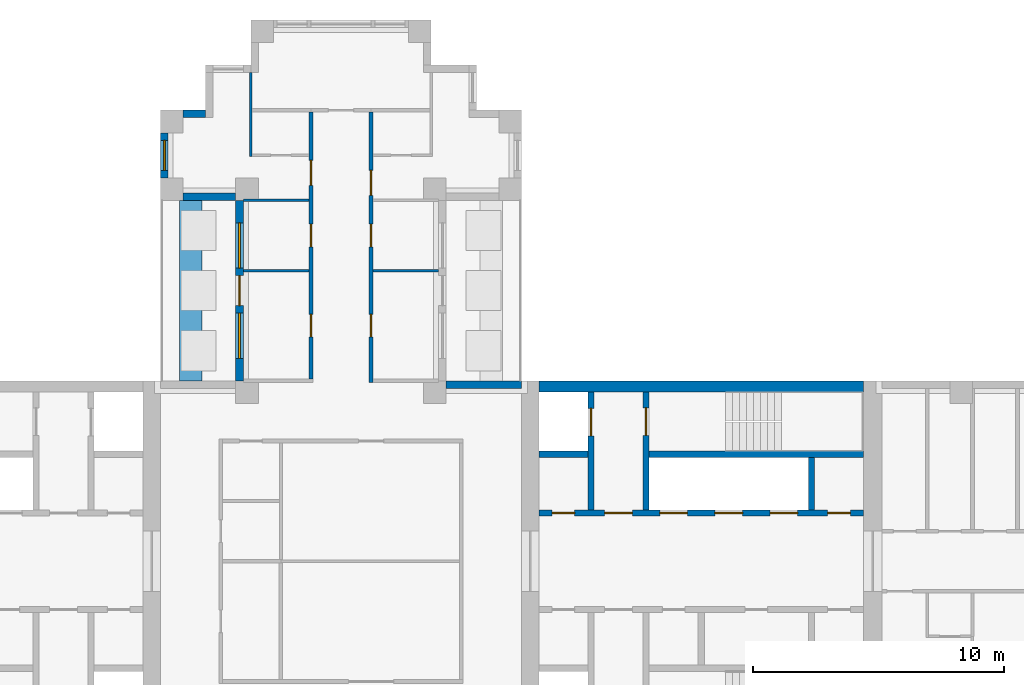
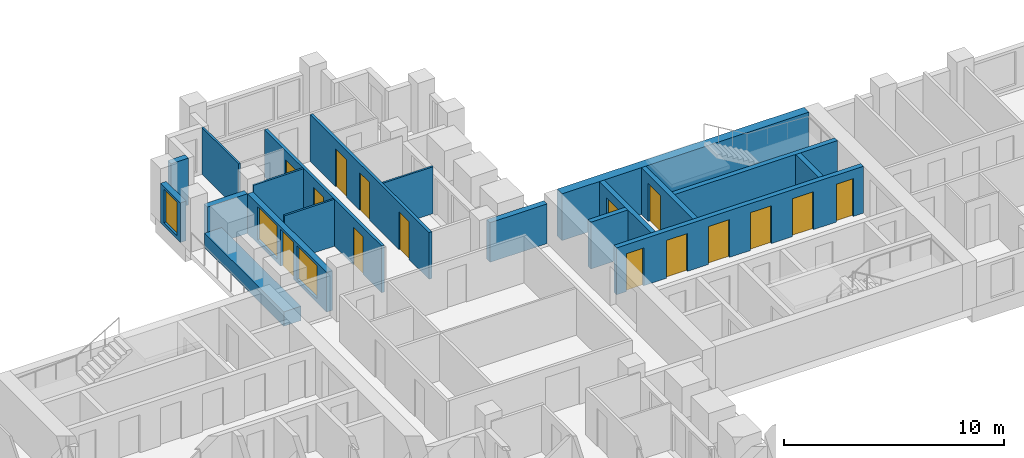
# One storey, part 7 of 12: 19 walls, 15 doors, 3 windows, 18 openings.
"""IFC4 building model written with IfcOpenShell, lengths in metres."""

from ifc_helpers import new_model, si_unit, direction, frame, frame_2d, origin, place, context, subcontext, project, spatial, rectangle, extrude, material, layer, layer_set, type_object, element, fill, save


model = new_model("IFC4")

# Units and contexts
model_context = context("Model", 3, precision=1e-05, world=origin(), true_north=direction((0.0, 1.0)))
body_context = subcontext(model_context, "Body", "Model", "MODEL_VIEW")
ifc_project = project(units=[si_unit("LENGTHUNIT", "METRE"), si_unit("AREAUNIT", "SQUARE_METRE"), si_unit("VOLUMEUNIT", "CUBIC_METRE"), si_unit("PLANEANGLEUNIT", "RADIAN"), si_unit("MASSUNIT", "GRAM", prefix="KILO")], contexts=[model_context])

# Site, building, storey
site_placement = place(None, origin())
site = spatial("IfcSite", under=ifc_project, at=site_placement, CompositionType="ELEMENT")
building_placement = place(site_placement, origin())
building = spatial("IfcBuilding", under=site, at=building_placement, Name="Fustian Cross Tower", CompositionType="ELEMENT")
storey_placement = place(building_placement, frame((0.0, 0.0, 150.300048828125)))
storey = spatial("IfcBuildingStorey", under=building, at=storey_placement, Name="L47", CompositionType="ELEMENT", Elevation=150.300048828125)

# Wall, openings, doors
ifc_material_1 = material(Name="Plasterboard on steel stud", Category="steel")
ifc_layer_1 = layer(ifc_material_1, 0.14990234375)
ifc_layer_set_1 = layer_set([ifc_layer_1], Name="Plasterboard on steel stud")
wall_type_1 = type_object("IfcWallType", Name="COMPARTMENT WALL 150 EI 60", PredefinedType="PARTITIONING", material=ifc_layer_set_1)
wall_1_placement = place(storey_placement, frame((-1.199951171875, 7.27490234375, 0.0), z_axis=(0.0, 0.0, 1.0), x_axis=(0.0, 1.0, 0.0)))
wall_1 = element("IfcWall", 1, at=wall_1_placement, inside=storey, type_object=wall_type_1, Name="Partition 38", PredefinedType="PARTITIONING", context=body_context, shape_type="SweptSolid", body=[
    extrude(rectangle(XDim=10.650146484375, YDim=0.14990234375, at=frame_2d((5.3251953125, 0.0))), origin(), (0.0, 0.0, 1.0), 2.599853515625),
])
opening_1_placement = place(wall_1_placement, frame((5.27490234375, 0.0, 0.0)))
opening_1 = element("IfcOpeningElement", 2, at=opening_1_placement, cuts=wall_1, Name="Opening D21018", PredefinedType="OPENING", context=body_context, shape_type="SweptSolid", body=[
    extrude(rectangle(XDim=0.89990234375, YDim=2.10009765625, at=frame_2d((0.449951171875, 1.050048828125))), frame((0.0, 0.0849609375, 0.0), z_axis=(0.0, -1.0, 0.0), x_axis=(1.0, 0.0, 0.0)), (0.0, 0.0, 1.0), 0.169921875),
])
opening_2_placement = place(wall_1_placement, frame((1.675048828125, 0.0, 0.0)))
opening_2 = element("IfcOpeningElement", 3, at=opening_2_placement, cuts=wall_1, Name="Opening D21019", PredefinedType="OPENING", context=body_context, shape_type="SweptSolid", body=[
    extrude(rectangle(XDim=0.89990234375, YDim=2.10009765625, at=frame_2d((0.449951171875, 1.050048828125))), frame((0.0, 0.0849609375, 0.0), z_axis=(0.0, -1.0, 0.0), x_axis=(1.0, 0.0, 0.0)), (0.0, 0.0, 1.0), 0.169921875),
])
opening_3_placement = place(wall_1_placement, frame((7.72509765625, 0.0, 0.0)))
opening_3 = element("IfcOpeningElement", 4, at=opening_3_placement, cuts=wall_1, Name="Opening D21021", PredefinedType="OPENING", context=body_context, shape_type="SweptSolid", body=[
    extrude(rectangle(XDim=1.0, YDim=2.10009765625, at=frame_2d((0.5, 1.050048828125))), frame((0.0, 0.0849609375, 0.0), z_axis=(0.0, -1.0, 0.0), x_axis=(1.0, 0.0, 0.0)), (0.0, 0.0, 1.0), 0.169921875),
])
ifc_material_2 = material(Name="Timber fire door set", Category="wood")
door_type_1 = type_object("IfcDoorType", Name="FIRE SWING DOOR 1000 FD30S", OperationType="SINGLE_SWING_LEFT", PredefinedType="DOOR", material=ifc_material_2)
door_1_placement = place(opening_3_placement, origin())
door_1 = element("IfcDoor", 5, at=door_1_placement, inside=storey, type_object=door_type_1, Name="Door D21021", OperationType="SINGLE_SWING_RIGHT", OverallHeight=2.10009765625, OverallWidth=1.0, PredefinedType="DOOR", context=body_context, shape_type="SweptSolid", body=[
    extrude(rectangle(XDim=1.0, YDim=2.10009765625, at=frame_2d((0.5, 1.050048828125))), frame((0.0, 0.02490234375, 0.0), z_axis=(0.0, -1.0, 0.0), x_axis=(1.0, 0.0, 0.0)), (0.0, 0.0, 1.0), 0.050048828125),
])
fill(opening_3, door_1)
ifc_material_3 = material(Name="Timber fire door set", Category="wood")
door_type_2 = type_object("IfcDoorType", Name="FIRE SWING DOOR 900 FD30S", OperationType="SINGLE_SWING_LEFT", PredefinedType="DOOR", material=ifc_material_3)
door_2_placement = place(opening_1_placement, origin())
door_2 = element("IfcDoor", 6, at=door_2_placement, inside=storey, type_object=door_type_2, Name="Door D21018", OperationType="SINGLE_SWING_LEFT", OverallHeight=2.10009765625, OverallWidth=0.89990234375, PredefinedType="DOOR", context=body_context, shape_type="SweptSolid", body=[
    extrude(rectangle(XDim=0.89990234375, YDim=2.10009765625, at=frame_2d((0.449951171875, 1.050048828125))), frame((0.0, 0.02490234375, 0.0), z_axis=(0.0, -1.0, 0.0), x_axis=(1.0, 0.0, 0.0)), (0.0, 0.0, 1.0), 0.050048828125),
])
fill(opening_1, door_2)
door_3_placement = place(opening_2_placement, origin())
door_3 = element("IfcDoor", 7, at=door_3_placement, inside=storey, type_object=door_type_2, Name="Door D21019", OperationType="SINGLE_SWING_LEFT", OverallHeight=2.10009765625, OverallWidth=0.89990234375, PredefinedType="DOOR", context=body_context, shape_type="SweptSolid", body=[
    extrude(rectangle(XDim=0.89990234375, YDim=2.10009765625, at=frame_2d((0.449951171875, 1.050048828125))), frame((0.0, 0.02490234375, 0.0), z_axis=(0.0, -1.0, 0.0), x_axis=(1.0, 0.0, 0.0)), (0.0, 0.0, 1.0), 0.050048828125),
])
fill(opening_2, door_3)

wall_2_placement = place(storey_placement, frame((1.199951171875, 7.125, 0.0), z_axis=(0.0, 0.0, 1.0), x_axis=(0.0, 1.0, 0.0)))
wall_2 = element("IfcWall", 8, at=wall_2_placement, inside=storey, type_object=wall_type_1, Name="Partition 46", PredefinedType="PARTITIONING", context=body_context, shape_type="SweptSolid", body=[
    extrude(rectangle(XDim=10.800048828125, YDim=0.14990234375, at=frame_2d((5.39990234375, 0.0))), origin(), (0.0, 0.0, 1.0), 2.599853515625),
])
opening_4_placement = place(wall_2_placement, frame((5.425048828125, 0.0, 0.0)))
opening_4 = element("IfcOpeningElement", 9, at=opening_4_placement, cuts=wall_2, Name="Opening D21022", PredefinedType="OPENING", context=body_context, shape_type="SweptSolid", body=[
    extrude(rectangle(XDim=0.89990234375, YDim=2.10009765625, at=frame_2d((0.449951171875, 1.050048828125))), frame((0.0, 0.0849609375, 0.0), z_axis=(0.0, -1.0, 0.0), x_axis=(1.0, 0.0, 0.0)), (0.0, 0.0, 1.0), 0.169921875),
])
opening_5_placement = place(wall_2_placement, frame((1.824951171875, 0.0, 0.0)))
opening_5 = element("IfcOpeningElement", 10, at=opening_5_placement, cuts=wall_2, Name="Opening D21023", PredefinedType="OPENING", context=body_context, shape_type="SweptSolid", body=[
    extrude(rectangle(XDim=0.89990234375, YDim=2.10009765625, at=frame_2d((0.449951171875, 1.050048828125))), frame((0.0, 0.0849609375, 0.0), z_axis=(0.0, -1.0, 0.0), x_axis=(1.0, 0.0, 0.0)), (0.0, 0.0, 1.0), 0.169921875),
])
opening_6_placement = place(wall_2_placement, frame((7.47509765625, 0.0, 0.0)))
opening_6 = element("IfcOpeningElement", 11, at=opening_6_placement, cuts=wall_2, Name="Opening D21025", PredefinedType="OPENING", context=body_context, shape_type="SweptSolid", body=[
    extrude(rectangle(XDim=1.0, YDim=2.10009765625, at=frame_2d((0.5, 1.050048828125))), frame((0.0, 0.0849609375, 0.0), z_axis=(0.0, -1.0, 0.0), x_axis=(1.0, 0.0, 0.0)), (0.0, 0.0, 1.0), 0.169921875),
])
door_4_placement = place(opening_6_placement, frame((1.0, 0.0, 0.0), z_axis=(0.0, 0.0, 1.0), x_axis=(-1.0, 0.0, 0.0)))
door_4 = element("IfcDoor", 12, at=door_4_placement, inside=storey, type_object=door_type_1, Name="Door D21025", OperationType="SINGLE_SWING_RIGHT", OverallHeight=2.10009765625, OverallWidth=1.0, PredefinedType="DOOR", context=body_context, shape_type="SweptSolid", body=[
    extrude(rectangle(XDim=1.0, YDim=2.10009765625, at=frame_2d((0.5, 1.050048828125))), frame((0.0, 0.02490234375, 0.0), z_axis=(0.0, -1.0, 0.0), x_axis=(1.0, 0.0, 0.0)), (0.0, 0.0, 1.0), 0.050048828125),
])
fill(opening_6, door_4)
door_5_placement = place(opening_4_placement, frame((0.89990234375, 0.0, 0.0), z_axis=(0.0, 0.0, 1.0), x_axis=(-1.0, 0.0, 0.0)))
door_5 = element("IfcDoor", 13, at=door_5_placement, inside=storey, type_object=door_type_2, Name="Door D21022", OperationType="SINGLE_SWING_RIGHT", OverallHeight=2.10009765625, OverallWidth=0.89990234375, PredefinedType="DOOR", context=body_context, shape_type="SweptSolid", body=[
    extrude(rectangle(XDim=0.89990234375, YDim=2.10009765625, at=frame_2d((0.449951171875, 1.050048828125))), frame((0.0, 0.02490234375, 0.0), z_axis=(0.0, -1.0, 0.0), x_axis=(1.0, 0.0, 0.0)), (0.0, 0.0, 1.0), 0.050048828125),
])
fill(opening_4, door_5)
door_6_placement = place(opening_5_placement, frame((0.89990234375, 0.0, 0.0), z_axis=(0.0, 0.0, 1.0), x_axis=(-1.0, 0.0, 0.0)))
door_6 = element("IfcDoor", 14, at=door_6_placement, inside=storey, type_object=door_type_2, Name="Door D21023", OperationType="SINGLE_SWING_RIGHT", OverallHeight=2.10009765625, OverallWidth=0.89990234375, PredefinedType="DOOR", context=body_context, shape_type="SweptSolid", body=[
    extrude(rectangle(XDim=0.89990234375, YDim=2.10009765625, at=frame_2d((0.449951171875, 1.050048828125))), frame((0.0, 0.02490234375, 0.0), z_axis=(0.0, -1.0, 0.0), x_axis=(1.0, 0.0, 0.0)), (0.0, 0.0, 1.0), 0.050048828125),
])
fill(opening_5, door_6)

# Wall
ifc_material_4 = material(Name="Concrete C60/75", Category="concrete")
ifc_layer_2 = layer(ifc_material_4, 0.449951171875)
ifc_layer_set_2 = layer_set([ifc_layer_2], Name="Concrete C60/75")
wall_type_2 = type_object("IfcWallType", Name="CORE FACADE WALL 450 C60/75", PredefinedType="SHEAR", material=ifc_layer_set_2)
wall_3_placement = place(storey_placement, frame((7.89990234375, 6.97509765625, 0.0), z_axis=(0.0, 0.0, 1.0), x_axis=(1.0, 0.0, 0.0)))
element("IfcWall", 15, at=wall_3_placement, inside=storey, type_object=wall_type_2, Name="Core facade wall", PredefinedType="SHEAR", context=body_context, shape_type="SweptSolid", body=[
    extrude(rectangle(XDim=12.9501953125, YDim=0.449951171875, at=frame_2d((6.47509765625, 0.0))), origin(), (0.0, 0.0, 1.0), 2.599853515625),
])

# Wall, openings, doors
ifc_material_5 = material(Name="Concrete C50/60", Category="concrete")
ifc_layer_3 = layer(ifc_material_5, 0.25)
ifc_layer_set_3 = layer_set([ifc_layer_3], Name="Concrete C50/60")
wall_type_3 = type_object("IfcWallType", Name="CORE LOBBY WALL 250 C50/60", PredefinedType="SHEAR", material=ifc_layer_set_3)
wall_4_placement = place(storey_placement, frame((7.89990234375, 1.925048828125, 0.0), z_axis=(0.0, 0.0, 1.0), x_axis=(1.0, 0.0, 0.0)))
wall_4 = element("IfcWall", 16, at=wall_4_placement, inside=storey, type_object=wall_type_3, Name="Core lobby wall", PredefinedType="SHEAR", context=body_context, shape_type="SweptSolid", body=[
    extrude(rectangle(XDim=12.9501953125, YDim=0.25, at=frame_2d((6.47509765625, 0.0))), origin(), (0.0, 0.0, 1.0), 2.599853515625),
])
opening_7_placement = place(wall_4_placement, frame((4.824951171875, 0.0, 0.0)))
opening_7 = element("IfcOpeningElement", 17, at=opening_7_placement, cuts=wall_4, Name="Opening LD", PredefinedType="OPENING", context=body_context, shape_type="SweptSolid", body=[
    extrude(rectangle(XDim=1.10009765625, YDim=2.10009765625, at=frame_2d((0.550048828125, 1.050048828125))), frame((0.0, 0.135009765625, 0.0), z_axis=(0.0, -1.0, 0.0), x_axis=(1.0, 0.0, 0.0)), (0.0, 0.0, 1.0), 0.27001953125),
])
opening_8_placement = place(wall_4_placement, frame((7.02490234375, 0.0, 0.0)))
opening_8 = element("IfcOpeningElement", 18, at=opening_8_placement, cuts=wall_4, Name="Opening LD", PredefinedType="OPENING", context=body_context, shape_type="SweptSolid", body=[
    extrude(rectangle(XDim=1.10009765625, YDim=2.10009765625, at=frame_2d((0.550048828125, 1.050048828125))), frame((0.0, 0.135009765625, 0.0), z_axis=(0.0, -1.0, 0.0), x_axis=(1.0, 0.0, 0.0)), (0.0, 0.0, 1.0), 0.27001953125),
])
opening_9_placement = place(wall_4_placement, frame((9.22509765625, 0.0, 0.0)))
opening_9 = element("IfcOpeningElement", 19, at=opening_9_placement, cuts=wall_4, Name="Opening LD", PredefinedType="OPENING", context=body_context, shape_type="SweptSolid", body=[
    extrude(rectangle(XDim=1.10009765625, YDim=2.10009765625, at=frame_2d((0.550048828125, 1.050048828125))), frame((0.0, 0.135009765625, 0.0), z_axis=(0.0, -1.0, 0.0), x_axis=(1.0, 0.0, 0.0)), (0.0, 0.0, 1.0), 0.27001953125),
])
opening_10_placement = place(wall_4_placement, frame((0.52490234375, 0.0, 0.0)))
opening_10 = element("IfcOpeningElement", 20, at=opening_10_placement, cuts=wall_4, Name="Opening CD-16-08", PredefinedType="OPENING", context=body_context, shape_type="SweptSolid", body=[
    extrude(rectangle(XDim=0.89990234375, YDim=2.10009765625, at=frame_2d((0.449951171875, 1.050048828125))), frame((0.0, 0.135009765625, 0.0), z_axis=(0.0, -1.0, 0.0), x_axis=(1.0, 0.0, 0.0)), (0.0, 0.0, 1.0), 0.27001953125),
])
opening_11_placement = place(wall_4_placement, frame((2.625, 0.0, 0.0)))
opening_11 = element("IfcOpeningElement", 21, at=opening_11_placement, cuts=wall_4, Name="Opening CD-16-10", PredefinedType="OPENING", context=body_context, shape_type="SweptSolid", body=[
    extrude(rectangle(XDim=1.10009765625, YDim=2.10009765625, at=frame_2d((0.550048828125, 1.050048828125))), frame((0.0, 0.135009765625, 0.0), z_axis=(0.0, -1.0, 0.0), x_axis=(1.0, 0.0, 0.0)), (0.0, 0.0, 1.0), 0.27001953125),
])
opening_12_placement = place(wall_4_placement, frame((11.52490234375, 0.0, 0.0)))
opening_12 = element("IfcOpeningElement", 22, at=opening_12_placement, cuts=wall_4, Name="Opening CD-16-14", PredefinedType="OPENING", context=body_context, shape_type="SweptSolid", body=[
    extrude(rectangle(XDim=0.89990234375, YDim=2.10009765625, at=frame_2d((0.449951171875, 1.050048828125))), frame((0.0, 0.135009765625, 0.0), z_axis=(0.0, -1.0, 0.0), x_axis=(1.0, 0.0, 0.0)), (0.0, 0.0, 1.0), 0.27001953125),
])
ifc_material_6 = material(Name="Steel", Category="steel")
door_type_3 = type_object("IfcDoorType", Name="FIRE DOOR FD30S 900X2100", OperationType="SINGLE_SWING_LEFT", PredefinedType="DOOR", material=ifc_material_6)
door_7_placement = place(opening_12_placement, origin())
door_7 = element("IfcDoor", 23, at=door_7_placement, inside=storey, type_object=door_type_3, Name="Core door CD-16-14", OperationType="SINGLE_SWING_LEFT", OverallHeight=2.10009765625, OverallWidth=0.89990234375, PredefinedType="DOOR", context=body_context, shape_type="SweptSolid", body=[
    extrude(rectangle(XDim=0.89990234375, YDim=2.10009765625, at=frame_2d((0.449951171875, 1.050048828125))), frame((0.0, 0.02490234375, 0.0), z_axis=(0.0, -1.0, 0.0), x_axis=(1.0, 0.0, 0.0)), (0.0, 0.0, 1.0), 0.050048828125),
])
fill(opening_12, door_7)
ifc_material_7 = material(Name="Steel", Category="steel")
door_type_4 = type_object("IfcDoorType", Name="FIRE DOOR FD60S 1100X2100", OperationType="SINGLE_SWING_LEFT", PredefinedType="DOOR", material=ifc_material_7)
door_8_placement = place(opening_11_placement, frame((1.10009765625, 0.0, 0.0), z_axis=(0.0, 0.0, 1.0), x_axis=(-1.0, 0.0, 0.0)))
door_8 = element("IfcDoor", 24, at=door_8_placement, inside=storey, type_object=door_type_4, Name="Core door CD-16-10", OperationType="SINGLE_SWING_RIGHT", OverallHeight=2.10009765625, OverallWidth=1.10009765625, PredefinedType="DOOR", context=body_context, shape_type="SweptSolid", body=[
    extrude(rectangle(XDim=1.10009765625, YDim=2.10009765625, at=frame_2d((0.550048828125, 1.050048828125))), frame((0.0, 0.02490234375, 0.0), z_axis=(0.0, -1.0, 0.0), x_axis=(1.0, 0.0, 0.0)), (0.0, 0.0, 1.0), 0.050048828125),
])
fill(opening_11, door_8)
ifc_material_8 = material(Name="Steel", Category="steel")
door_type_5 = type_object("IfcDoorType", Name="FIRE DOOR FD60S 900X2100", OperationType="SINGLE_SWING_LEFT", PredefinedType="DOOR", material=ifc_material_8)
door_9_placement = place(opening_10_placement, origin())
door_9 = element("IfcDoor", 25, at=door_9_placement, inside=storey, type_object=door_type_5, Name="Core door CD-16-08", OperationType="SINGLE_SWING_LEFT", OverallHeight=2.10009765625, OverallWidth=0.89990234375, PredefinedType="DOOR", context=body_context, shape_type="SweptSolid", body=[
    extrude(rectangle(XDim=0.89990234375, YDim=2.10009765625, at=frame_2d((0.449951171875, 1.050048828125))), frame((0.0, 0.02490234375, 0.0), z_axis=(0.0, -1.0, 0.0), x_axis=(1.0, 0.0, 0.0)), (0.0, 0.0, 1.0), 0.050048828125),
])
fill(opening_10, door_9)
ifc_material_9 = material(Name="Stainless steel", Category="steel")
door_type_6 = type_object("IfcDoorType", Name="LIFT LANDING DOOR 1100X2100", OperationType="SLIDING_TO_LEFT", PredefinedType="DOOR", material=ifc_material_9)
door_10_placement = place(opening_7_placement, origin())
door_10 = element("IfcDoor", 26, at=door_10_placement, inside=storey, type_object=door_type_6, Name="Landing door HR1", OperationType="SLIDING_TO_LEFT", OverallHeight=2.10009765625, OverallWidth=1.10009765625, PredefinedType="DOOR", context=body_context, shape_type="SweptSolid", body=[
    extrude(rectangle(XDim=1.10009765625, YDim=2.10009765625, at=frame_2d((0.550048828125, 1.050048828125))), frame((0.0, 0.02490234375, 0.0), z_axis=(0.0, -1.0, 0.0), x_axis=(1.0, 0.0, 0.0)), (0.0, 0.0, 1.0), 0.050048828125),
])
fill(opening_7, door_10)
door_11_placement = place(opening_8_placement, origin())
door_11 = element("IfcDoor", 27, at=door_11_placement, inside=storey, type_object=door_type_6, Name="Landing door HR2", OperationType="SLIDING_TO_LEFT", OverallHeight=2.10009765625, OverallWidth=1.10009765625, PredefinedType="DOOR", context=body_context, shape_type="SweptSolid", body=[
    extrude(rectangle(XDim=1.10009765625, YDim=2.10009765625, at=frame_2d((0.550048828125, 1.050048828125))), frame((0.0, 0.02490234375, 0.0), z_axis=(0.0, -1.0, 0.0), x_axis=(1.0, 0.0, 0.0)), (0.0, 0.0, 1.0), 0.050048828125),
])
fill(opening_8, door_11)
door_12_placement = place(opening_9_placement, origin())
door_12 = element("IfcDoor", 28, at=door_12_placement, inside=storey, type_object=door_type_6, Name="Landing door HR3", OperationType="SLIDING_TO_LEFT", OverallHeight=2.10009765625, OverallWidth=1.10009765625, PredefinedType="DOOR", context=body_context, shape_type="SweptSolid", body=[
    extrude(rectangle(XDim=1.10009765625, YDim=2.10009765625, at=frame_2d((0.550048828125, 1.050048828125))), frame((0.0, 0.02490234375, 0.0), z_axis=(0.0, -1.0, 0.0), x_axis=(1.0, 0.0, 0.0)), (0.0, 0.0, 1.0), 0.050048828125),
])
fill(opening_9, door_12)

# Walls
ifc_material_10 = material(Name="Concrete C50/60", Category="concrete")
ifc_layer_4 = layer(ifc_material_10, 0.25)
ifc_layer_set_4 = layer_set([ifc_layer_4], Name="Concrete C50/60")
wall_type_4 = type_object("IfcWallType", Name="CORE SHAFT WALL 250 C50/60", PredefinedType="SHEAR", material=ifc_layer_set_4)
wall_5_placement = place(storey_placement, frame((7.89990234375, 4.27490234375, 0.0), z_axis=(0.0, 0.0, 1.0), x_axis=(1.0, 0.0, 0.0)))
element("IfcWall", 29, at=wall_5_placement, inside=storey, type_object=wall_type_4, Name="Core shaft wall", PredefinedType="SHEAR", context=body_context, shape_type="SweptSolid", body=[
    extrude(rectangle(XDim=1.9501953125, YDim=0.25, at=frame_2d((0.97509765625, 0.0))), origin(), (0.0, 0.0, 1.0), 2.599853515625),
])
wall_6_placement = place(storey_placement, frame((12.300048828125, 4.27490234375, 0.0), z_axis=(0.0, 0.0, 1.0), x_axis=(1.0, 0.0, 0.0)))
element("IfcWall", 30, at=wall_6_placement, inside=storey, type_object=wall_type_4, Name="Core shaft wall", PredefinedType="SHEAR", context=body_context, shape_type="SweptSolid", body=[
    extrude(rectangle(XDim=8.550048828125, YDim=0.25, at=frame_2d((4.27490234375, 0.0))), origin(), (0.0, 0.0, 1.0), 2.599853515625),
])

# Wall, opening, door
wall_7_placement = place(storey_placement, frame((9.97509765625, 2.050048828125, 0.0), z_axis=(0.0, 0.0, 1.0), x_axis=(0.0, 1.0, 0.0)))
wall_7 = element("IfcWall", 31, at=wall_7_placement, inside=storey, type_object=wall_type_4, Name="Core shaft wall", PredefinedType="SHEAR", context=body_context, shape_type="SweptSolid", body=[
    extrude(rectangle(XDim=4.699951171875, YDim=0.25, at=frame_2d((2.35009765625, 0.0))), origin(), (0.0, 0.0, 1.0), 2.599853515625),
])
opening_13_placement = place(wall_7_placement, frame((2.949951171875, 0.0, 0.0)))
opening_13 = element("IfcOpeningElement", 32, at=opening_13_placement, cuts=wall_7, Name="Opening LD", PredefinedType="OPENING", context=body_context, shape_type="SweptSolid", body=[
    extrude(rectangle(XDim=1.10009765625, YDim=2.10009765625, at=frame_2d((0.550048828125, 1.050048828125))), frame((0.0, 0.135009765625, 0.0), z_axis=(0.0, -1.0, 0.0), x_axis=(1.0, 0.0, 0.0)), (0.0, 0.0, 1.0), 0.27001953125),
])
door_13_placement = place(opening_13_placement, origin())
door_13 = element("IfcDoor", 33, at=door_13_placement, inside=storey, type_object=door_type_6, Name="Landing door FL1", OperationType="SLIDING_TO_LEFT", OverallHeight=2.10009765625, OverallWidth=1.10009765625, PredefinedType="DOOR", context=body_context, shape_type="SweptSolid", body=[
    extrude(rectangle(XDim=1.10009765625, YDim=2.10009765625, at=frame_2d((0.550048828125, 1.050048828125))), frame((0.0, 0.02490234375, 0.0), z_axis=(0.0, -1.0, 0.0), x_axis=(1.0, 0.0, 0.0)), (0.0, 0.0, 1.0), 0.050048828125),
])
fill(opening_13, door_13)

wall_8_placement = place(storey_placement, frame((12.175048828125, 2.050048828125, 0.0), z_axis=(0.0, 0.0, 1.0), x_axis=(0.0, 1.0, 0.0)))
wall_8 = element("IfcWall", 34, at=wall_8_placement, inside=storey, type_object=wall_type_4, Name="Core shaft wall", PredefinedType="SHEAR", context=body_context, shape_type="SweptSolid", body=[
    extrude(rectangle(XDim=4.699951171875, YDim=0.25, at=frame_2d((2.35009765625, 0.0))), origin(), (0.0, 0.0, 1.0), 2.599853515625),
])
opening_14_placement = place(wall_8_placement, frame((2.97509765625, 0.0, 0.0)))
opening_14 = element("IfcOpeningElement", 35, at=opening_14_placement, cuts=wall_8, Name="Opening CD-16-06", PredefinedType="OPENING", context=body_context, shape_type="SweptSolid", body=[
    extrude(rectangle(XDim=1.10009765625, YDim=2.10009765625, at=frame_2d((0.550048828125, 1.050048828125))), frame((0.0, 0.135009765625, 0.0), z_axis=(0.0, -1.0, 0.0), x_axis=(1.0, 0.0, 0.0)), (0.0, 0.0, 1.0), 0.27001953125),
])
door_14_placement = place(opening_14_placement, frame((1.10009765625, 0.0, 0.0), z_axis=(0.0, 0.0, 1.0), x_axis=(-1.0, 0.0, 0.0)))
door_14 = element("IfcDoor", 36, at=door_14_placement, inside=storey, type_object=door_type_4, Name="Core door CD-16-06", OperationType="SINGLE_SWING_RIGHT", OverallHeight=2.10009765625, OverallWidth=1.10009765625, PredefinedType="DOOR", context=body_context, shape_type="SweptSolid", body=[
    extrude(rectangle(XDim=1.10009765625, YDim=2.10009765625, at=frame_2d((0.550048828125, 1.050048828125))), frame((0.0, 0.02490234375, 0.0), z_axis=(0.0, -1.0, 0.0), x_axis=(1.0, 0.0, 0.0)), (0.0, 0.0, 1.0), 0.050048828125),
])
fill(opening_14, door_14)

# Walls
ifc_material_11 = material(Name="Plasterboard on steel stud", Category="steel")
ifc_layer_5 = layer(ifc_material_11, 0.10009765625)
ifc_layer_set_5 = layer_set([ifc_layer_5], Name="Plasterboard on steel stud")
wall_type_5 = type_object("IfcWallType", Name="PARTITION 100 STUD", PredefinedType="PARTITIONING", material=ifc_layer_set_5)
for number, where, z_axis, x_axis, name in (
    (37, (-3.89990234375, 11.60009765625, 0.0), (0.0, 0.0, 1.0), (1.0, 0.0, 0.0), "Partition 25"),
    (38, (-3.89990234375, 14.39990234375, 0.0), (0.0, 0.0, 1.0), (1.0, 0.0, 0.0), "Partition 26"),
):
    element("IfcWall", number, at=place(storey_placement, frame(where, z_axis=z_axis, x_axis=x_axis)), inside=storey, type_object=wall_type_5, Name=name, PredefinedType="PARTITIONING", context=body_context, shape_type="SweptSolid", body=[
        extrude(rectangle(XDim=2.625, YDim=0.10009765625, at=frame_2d((1.3125, 0.0))), origin(), (0.0, 0.0, 1.0), 2.599853515625),
    ])
wall_9_placement = place(storey_placement, frame((-3.60009765625, 16.14990234375, 0.0), z_axis=(0.0, 0.0, 1.0), x_axis=(0.0, 1.0, 0.0)))
element("IfcWall", 39, at=wall_9_placement, inside=storey, type_object=wall_type_5, Name="Partition 30", PredefinedType="PARTITIONING", context=body_context, shape_type="SweptSolid", body=[
    extrude(rectangle(XDim=3.35009765625, YDim=0.10009765625, at=frame_2d((1.675048828125, 0.0))), origin(), (0.0, 0.0, 1.0), 2.599853515625),
])
wall_10_placement = place(storey_placement, frame((1.27490234375, 11.60009765625, 0.0), z_axis=(0.0, 0.0, 1.0), x_axis=(1.0, 0.0, 0.0)))
element("IfcWall", 40, at=wall_10_placement, inside=storey, type_object=wall_type_5, Name="Partition 48", PredefinedType="PARTITIONING", context=body_context, shape_type="SweptSolid", body=[
    extrude(rectangle(XDim=2.625, YDim=0.10009765625, at=frame_2d((1.3125, 0.0))), origin(), (0.0, 0.0, 1.0), 2.599853515625),
])
ifc_material_12 = material(Name="Concrete C40/50", Category="concrete")
ifc_layer_6 = layer(ifc_material_12, 0.89990234375)
ifc_layer_set_6 = layer_set([ifc_layer_6], Name="Concrete C40/50")
wall_type_6 = type_object("IfcWallType", Name="PK1 PLANTER 900", PredefinedType="PARAPET", material=ifc_layer_set_6)
wall_11_placement = place(storey_placement, frame((-6.0, 7.199951171875, 0.0), z_axis=(0.0, 0.0, 1.0), x_axis=(0.0, 1.0, 0.0)))
element("IfcWall", 41, at=wall_11_placement, inside=storey, type_object=wall_type_6, Name="PLANTER", PredefinedType="PARAPET", context=body_context, shape_type="SweptSolid", body=[
    extrude(rectangle(XDim=7.199951171875, YDim=0.89990234375, at=frame_2d((3.60009765625, 0.0))), origin(), (0.0, 0.0, 1.0), 0.800048828125),
])
ifc_material_13 = material(Name="Concrete C40/50", Category="concrete")
ifc_layer_7 = layer(ifc_material_13, 0.25)
ifc_layer_set_7 = layer_set([ifc_layer_7], Name="Concrete C40/50")
wall_type_7 = type_object("IfcWallType", Name="SHAFT PARTITION WALL 250 C40/50", PredefinedType="PARTITIONING", material=ifc_layer_set_7)
wall_12_placement = place(storey_placement, frame((18.77490234375, 2.050048828125, 0.0), z_axis=(0.0, 0.0, 1.0), x_axis=(0.0, 1.0, 0.0)))
element("IfcWall", 42, at=wall_12_placement, inside=storey, type_object=wall_type_7, Name="Core shaft wall", PredefinedType="PARTITIONING", context=body_context, shape_type="SweptSolid", body=[
    extrude(rectangle(XDim=2.099853515625, YDim=0.25, at=frame_2d((1.0498046875, 0.0))), origin(), (0.0, 0.0, 1.0), 2.599853515625),
])
ifc_material_14 = material(Name="Dark aluminium cladding on insulated backing wall", Category="aluminium")
ifc_layer_8 = layer(ifc_material_14, 0.300048828125)
ifc_layer_set_8 = layer_set([ifc_layer_8], Name="Dark aluminium cladding on insulated backing wall")
wall_type_8 = type_object("IfcWallType", Name="XW1 EXTERNAL WALL 300", PredefinedType="SOLIDWALL", material=ifc_layer_set_8)
wall_13_placement = place(storey_placement, frame((7.199951171875, 7.050048828125, 0.0), z_axis=(0.0, 0.0, 1.0), x_axis=(-1.0, 0.0, 0.0)))
element("IfcWall", 43, at=wall_13_placement, inside=storey, type_object=wall_type_8, Name="External wall", PredefinedType="SOLIDWALL", context=body_context, shape_type="SweptSolid", body=[
    extrude(rectangle(XDim=3.0, YDim=0.300048828125, at=frame_2d((1.5, 0.0))), origin(), (0.0, 0.0, 1.0), 2.199951171875),
])
wall_14_placement = place(storey_placement, frame((-5.39990234375, 17.85009765625, 0.0), z_axis=(0.0, 0.0, 1.0), x_axis=(-1.0, 0.0, 0.0)))
element("IfcWall", 44, at=wall_14_placement, inside=storey, type_object=wall_type_8, Name="External wall", PredefinedType="SOLIDWALL", context=body_context, shape_type="SweptSolid", body=[
    extrude(rectangle(XDim=0.900146484375, YDim=0.300048828125, at=frame_2d((0.4501953125, 0.0))), origin(), (0.0, 0.0, 1.0), 2.599853515625),
])

# Wall, opening, window
wall_15_placement = place(storey_placement, frame((-7.050048828125, 17.10009765625, 0.0), z_axis=(0.0, 0.0, 1.0), x_axis=(0.0, -1.0, 0.0)))
wall_15 = element("IfcWall", 45, at=wall_15_placement, inside=storey, type_object=wall_type_8, Name="External wall", PredefinedType="SOLIDWALL", context=body_context, shape_type="SweptSolid", body=[
    extrude(rectangle(XDim=1.800048828125, YDim=0.300048828125, at=frame_2d((0.89990234375, 0.0))), origin(), (0.0, 0.0, 1.0), 2.199951171875),
])
opening_15_placement = place(wall_15_placement, frame((0.300048828125, 0.0, 0.199951171875)))
opening_15 = element("IfcOpeningElement", 46, at=opening_15_placement, cuts=wall_15, Name="Opening WN3", PredefinedType="OPENING", context=body_context, shape_type="SweptSolid", body=[
    extrude(rectangle(XDim=1.199951171875, YDim=1.85009765625, at=frame_2d((0.60009765625, 0.925048828125))), frame((0.0, 0.159912109375, 0.0), z_axis=(0.0, -1.0, 0.0), x_axis=(1.0, 0.0, 0.0)), (0.0, 0.0, 1.0), 0.320068359375),
])
ifc_material_15 = material(Name="Dark anodised aluminium and double glazing", Category="aluminium")
window_type_1 = type_object("IfcWindowType", Name="WN3 WINDOW 1200X1850", PartitioningType="SINGLE_PANEL", PredefinedType="WINDOW", material=ifc_material_15)
window_1_placement = place(opening_15_placement, origin())
window_1 = element("IfcWindow", 47, at=window_1_placement, inside=storey, type_object=window_type_1, Name="Window", OverallHeight=1.85009765625, OverallWidth=1.199951171875, PartitioningType="SINGLE_PANEL", PredefinedType="WINDOW", context=body_context, shape_type="SweptSolid", body=[
    extrude(rectangle(XDim=1.199951171875, YDim=1.85009765625, at=frame_2d((0.60009765625, 0.925048828125))), frame((0.0, 0.030029296875, 0.0), z_axis=(0.0, -1.0, 0.0), x_axis=(1.0, 0.0, 0.0)), (0.0, 0.0, 1.0), 0.06005859375),
])
fill(opening_15, window_1)

# Wall
wall_16_placement = place(storey_placement, frame((-6.300048828125, 14.550048828125, 0.0), z_axis=(0.0, 0.0, 1.0), x_axis=(1.0, 0.0, 0.0)))
element("IfcWall", 48, at=wall_16_placement, inside=storey, type_object=wall_type_8, Name="External wall", PredefinedType="SOLIDWALL", context=body_context, shape_type="SweptSolid", body=[
    extrude(rectangle(XDim=2.10009765625, YDim=0.300048828125, at=frame_2d((1.050048828125, 0.0))), origin(), (0.0, 0.0, 1.0), 2.199951171875),
])

# Wall, openings, door, windows
wall_17_placement = place(storey_placement, frame((-4.050048828125, 14.39990234375, 0.0), z_axis=(0.0, 0.0, 1.0), x_axis=(0.0, -1.0, 0.0)))
wall_17 = element("IfcWall", 49, at=wall_17_placement, inside=storey, type_object=wall_type_8, Name="External wall", PredefinedType="SOLIDWALL", context=body_context, shape_type="SweptSolid", body=[
    extrude(rectangle(XDim=7.199951171875, YDim=0.300048828125, at=frame_2d((3.60009765625, 0.0))), origin(), (0.0, 0.0, 1.0), 2.199951171875),
])
opening_16_placement = place(wall_17_placement, frame((3.0, 0.0, 0.0)))
opening_16 = element("IfcOpeningElement", 50, at=opening_16_placement, cuts=wall_17, Name="Opening XD2", PredefinedType="OPENING", context=body_context, shape_type="SweptSolid", body=[
    extrude(rectangle(XDim=1.199951171875, YDim=2.050048828125, at=frame_2d((0.60009765625, 1.02490234375))), frame((0.0, 0.159912109375, 0.0), z_axis=(0.0, -1.0, 0.0), x_axis=(1.0, 0.0, 0.0)), (0.0, 0.0, 1.0), 0.320068359375),
])
opening_17_placement = place(wall_17_placement, frame((0.89990234375, 0.0, 0.199951171875)))
opening_17 = element("IfcOpeningElement", 51, at=opening_17_placement, cuts=wall_17, Name="Opening WN2", PredefinedType="OPENING", context=body_context, shape_type="SweptSolid", body=[
    extrude(rectangle(XDim=1.800048828125, YDim=1.85009765625, at=frame_2d((0.89990234375, 0.925048828125))), frame((0.0, 0.159912109375, 0.0), z_axis=(0.0, -1.0, 0.0), x_axis=(1.0, 0.0, 0.0)), (0.0, 0.0, 1.0), 0.320068359375),
])
opening_18_placement = place(wall_17_placement, frame((4.5, 0.0, 0.199951171875)))
opening_18 = element("IfcOpeningElement", 52, at=opening_18_placement, cuts=wall_17, Name="Opening WN2", PredefinedType="OPENING", context=body_context, shape_type="SweptSolid", body=[
    extrude(rectangle(XDim=1.800048828125, YDim=1.85009765625, at=frame_2d((0.89990234375, 0.925048828125))), frame((0.0, 0.159912109375, 0.0), z_axis=(0.0, -1.0, 0.0), x_axis=(1.0, 0.0, 0.0)), (0.0, 0.0, 1.0), 0.320068359375),
])
ifc_material_16 = material(Name="Dark anodised aluminium and double glazing", Category="aluminium")
door_type_7 = type_object("IfcDoorType", Name="ED1 BALCONY DOOR 1200X2050", OperationType="SINGLE_SWING_LEFT", PredefinedType="DOOR", material=ifc_material_16)
door_15_placement = place(opening_16_placement, origin())
door_15 = element("IfcDoor", 53, at=door_15_placement, inside=storey, type_object=door_type_7, Name="Balcony door", OperationType="SINGLE_SWING_LEFT", OverallHeight=2.050048828125, OverallWidth=1.199951171875, PredefinedType="DOOR", context=body_context, shape_type="SweptSolid", body=[
    extrude(rectangle(XDim=1.199951171875, YDim=2.050048828125, at=frame_2d((0.60009765625, 1.02490234375))), frame((0.0, 0.02490234375, 0.0), z_axis=(0.0, -1.0, 0.0), x_axis=(1.0, 0.0, 0.0)), (0.0, 0.0, 1.0), 0.050048828125),
])
fill(opening_16, door_15)
ifc_material_17 = material(Name="Dark anodised aluminium and double glazing", Category="aluminium")
window_type_2 = type_object("IfcWindowType", Name="WN2 WINDOW 1800X1850", PartitioningType="SINGLE_PANEL", PredefinedType="WINDOW", material=ifc_material_17)
window_2_placement = place(opening_17_placement, origin())
window_2 = element("IfcWindow", 54, at=window_2_placement, inside=storey, type_object=window_type_2, Name="Window", OverallHeight=1.85009765625, OverallWidth=1.800048828125, PartitioningType="SINGLE_PANEL", PredefinedType="WINDOW", context=body_context, shape_type="SweptSolid", body=[
    extrude(rectangle(XDim=1.800048828125, YDim=1.85009765625, at=frame_2d((0.89990234375, 0.925048828125))), frame((0.0, 0.030029296875, 0.0), z_axis=(0.0, -1.0, 0.0), x_axis=(1.0, 0.0, 0.0)), (0.0, 0.0, 1.0), 0.06005859375),
])
fill(opening_17, window_2)
window_3_placement = place(opening_18_placement, origin())
window_3 = element("IfcWindow", 55, at=window_3_placement, inside=storey, type_object=window_type_2, Name="Window", OverallHeight=1.85009765625, OverallWidth=1.800048828125, PartitioningType="SINGLE_PANEL", PredefinedType="WINDOW", context=body_context, shape_type="SweptSolid", body=[
    extrude(rectangle(XDim=1.800048828125, YDim=1.85009765625, at=frame_2d((0.89990234375, 0.925048828125))), frame((0.0, 0.030029296875, 0.0), z_axis=(0.0, -1.0, 0.0), x_axis=(1.0, 0.0, 0.0)), (0.0, 0.0, 1.0), 0.06005859375),
])
fill(opening_18, window_3)

save(model, "model.ifc")
